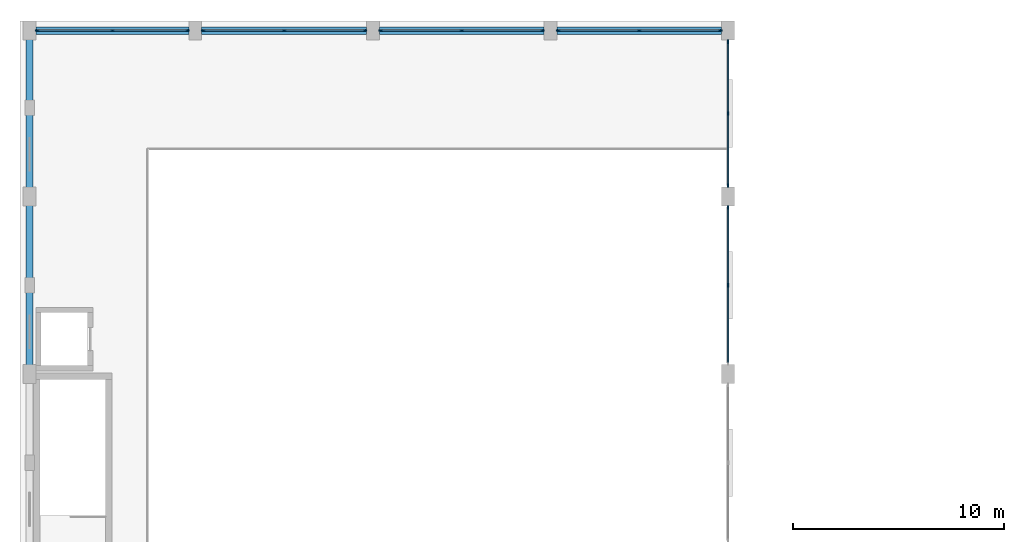
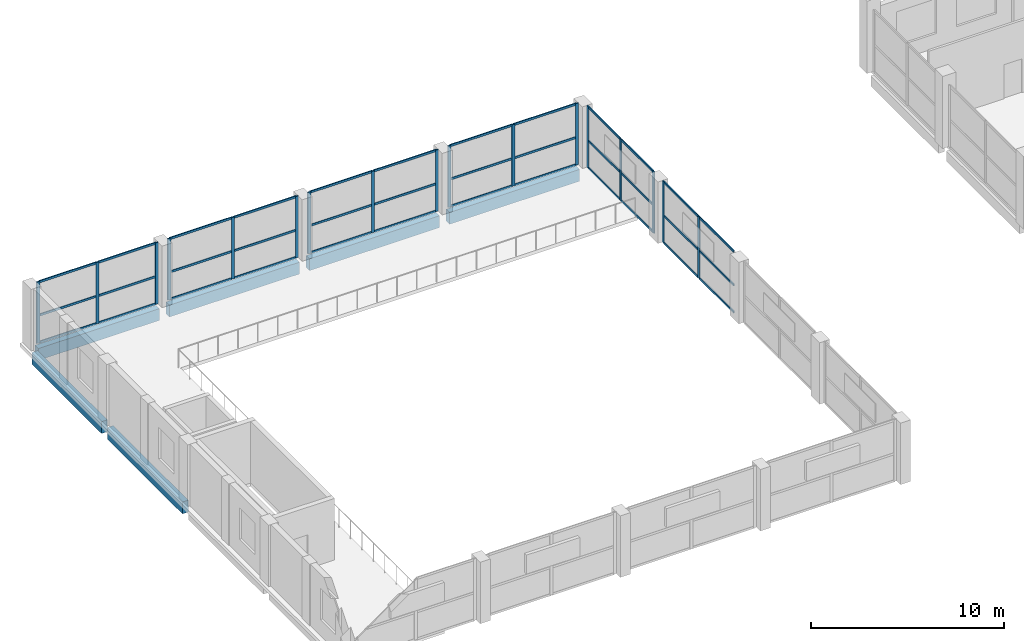
# One storey, part 6 of 31: 53 members, 6 beams, 6 elements without a shape of their own.
"""IFC4 building model written with IfcOpenShell, lengths in metres."""

from ifc_helpers import new_model, si_unit, direction, frame, origin, origin_2d, place, context, subcontext, project, spatial, rectangle, extrude, material, material_profile, profile_set, type_object, element, aggregate, save


model = new_model("IFC4")

# Units and contexts
model_context = context("Model", 3, precision=1e-05, world=origin(), true_north=direction((0.0, 1.0)))
body_context = subcontext(model_context, "Body", "Model", "MODEL_VIEW")
ifc_project = project(units=[si_unit("LENGTHUNIT", "METRE"), si_unit("AREAUNIT", "SQUARE_METRE"), si_unit("VOLUMEUNIT", "CUBIC_METRE"), si_unit("PLANEANGLEUNIT", "RADIAN"), si_unit("MASSUNIT", "GRAM", prefix="KILO")], contexts=[model_context])

# Site, building, storey
site_placement = place(None, origin())
site = spatial("IfcSite", under=ifc_project, at=site_placement, CompositionType="ELEMENT")
building_placement = place(site_placement, origin())
building = spatial("IfcBuilding", under=site, at=building_placement, Name="Brinegate Botanical Conservatory", CompositionType="ELEMENT")
storey_placement = place(building_placement, frame((0.0, 0.0, 5.39990234375)))
storey = spatial("IfcBuildingStorey", under=building, at=storey_placement, Name="L02", CompositionType="ELEMENT", Elevation=5.39990234375)

# Beams
ifc_material_1 = material(Name="Concrete C40/50", Category="concrete")
ifc_material_profile_1 = material_profile(ifc_material_1, rectangle(XDim=0.35009765625, YDim=0.75, at=origin_2d()), Name="RC SPN 350x750")
ifc_profile_set_1 = profile_set([ifc_material_profile_1], Name="Concrete C40/50")
beam_type = type_object("IfcBeamType", Name="Beam_SP-01", PredefinedType="SPANDREL", material=ifc_profile_set_1)
beam_1_placement = place(storey_placement, frame((0.85009765625, 111.449951171875, -0.594970703125), z_axis=(1.0, 0.0, 0.0), x_axis=(0.0, 1.0, 0.0)))
element("IfcBeam", 1, at=beam_1_placement, inside=storey, type_object=beam_type, Name="Beam SP-01 L02 P:1-2", PredefinedType="SPANDREL", context=body_context, shape_type="SweptSolid", body=[
    extrude(rectangle(XDim=0.35009765625, YDim=0.75, at=origin_2d()), origin(), (0.0, 0.0, 1.0), 7.25),
])
beam_2_placement = place(storey_placement, frame((8.699951171875, 111.449951171875, -0.594970703125), z_axis=(1.0, 0.0, 0.0), x_axis=(0.0, 1.0, 0.0)))
element("IfcBeam", 2, at=beam_2_placement, inside=storey, type_object=beam_type, Name="Beam SP-01 L02 P:2-3", PredefinedType="SPANDREL", context=body_context, shape_type="SweptSolid", body=[
    extrude(rectangle(XDim=0.35009765625, YDim=0.75, at=origin_2d()), origin(), (0.0, 0.0, 1.0), 7.800048828125),
])
beam_3_placement = place(storey_placement, frame((17.10009765625, 111.449951171875, -0.594970703125), z_axis=(1.0, 0.0, 0.0), x_axis=(0.0, 1.0, 0.0)))
element("IfcBeam", 3, at=beam_3_placement, inside=storey, type_object=beam_type, Name="Beam SP-01 L02 P:3-4", PredefinedType="SPANDREL", context=body_context, shape_type="SweptSolid", body=[
    extrude(rectangle(XDim=0.35009765625, YDim=0.75, at=origin_2d()), origin(), (0.0, 0.0, 1.0), 7.7998046875),
])
for number, where, z_axis, x_axis, name in (
    (4, (25.5, 111.449951171875, -0.594970703125), (1.0, 0.0, 0.0), (0.0, 1.0, 0.0), "Beam SP-01 L02 P:4-5"),
    (5, (0.550048828125, 95.5, -0.594970703125), (0.0, 1.0, 0.0), (-1.0, 0.0, 0.0), "Beam SP-01 L02 1:M-N"),
):
    element("IfcBeam", number, at=place(storey_placement, frame(where, z_axis=z_axis, x_axis=x_axis)), inside=storey, type_object=beam_type, Name=name, PredefinedType="SPANDREL", context=body_context, shape_type="SweptSolid", body=[
        extrude(rectangle(XDim=0.35009765625, YDim=0.75, at=origin_2d()), origin(), (0.0, 0.0, 1.0), 7.800048828125),
    ])
beam_4_placement = place(storey_placement, frame((0.550048828125, 103.89990234375, -0.594970703125), z_axis=(0.0, 1.0, 0.0), x_axis=(-1.0, 0.0, 0.0)))
element("IfcBeam", 6, at=beam_4_placement, inside=storey, type_object=beam_type, Name="Beam SP-01 L02 1:N-P", PredefinedType="SPANDREL", context=body_context, shape_type="SweptSolid", body=[
    extrude(rectangle(XDim=0.35009765625, YDim=0.75, at=origin_2d()), origin(), (0.0, 0.0, 1.0), 7.25),
])

# Curtain wall, members
ifc_material_2 = material(Name="Thermally broken anodised aluminium AW-6063-T6", Category="aluminium")
curtain_wall_type = type_object("IfcCurtainWallType", Name="CW_CW-V1", PredefinedType="USERDEFINED", material=ifc_material_2)
curtain_wall_1_placement = place(storey_placement, origin())
curtain_wall_1 = element("IfcCurtainWall", 7, at=curtain_wall_1_placement, inside=storey, type_object=curtain_wall_type, Name="Conservatory north curtain wall L02.1", ObjectType="FACTORY CURTAIN WALL", PredefinedType="USERDEFINED")
ifc_material_profile_2 = material_profile(ifc_material_2, rectangle(XDim=0.06494140625, YDim=0.179931640625, at=origin_2d()), Name="ALUM MULLION 65x180")
ifc_profile_set_2 = profile_set([ifc_material_profile_2], Name="Thermally broken anodised aluminium AW-6063-T6")
member_type_1 = type_object("IfcMemberType", Name="Member_ML-02", PredefinedType="MULLION", material=ifc_profile_set_2)
member_1_placement = place(storey_placement, frame((0.922607421875, 111.449951171875, 0.0), z_axis=(0.0, 0.0, 1.0), x_axis=(0.0, 1.0, 0.0)))
member_1 = element("IfcMember", 8, at=member_1_placement, type_object=member_type_1, Name="CW-V1 mullion 1", PredefinedType="MULLION", context=body_context, shape_type="SweptSolid", body=[
    extrude(rectangle(XDim=0.06494140625, YDim=0.179931640625, at=origin_2d()), origin(), (0.0, 0.0, 1.0), 3.900146484375),
])
member_2_placement = place(storey_placement, frame((4.47509765625, 111.449951171875, 0.0), z_axis=(0.0, 0.0, 1.0), x_axis=(0.0, 1.0, 0.0)))
member_2 = element("IfcMember", 9, at=member_2_placement, type_object=member_type_1, Name="CW-V1 mullion 2", PredefinedType="MULLION", context=body_context, shape_type="SweptSolid", body=[
    extrude(rectangle(XDim=0.06494140625, YDim=0.179931640625, at=origin_2d()), origin(), (0.0, 0.0, 1.0), 3.900146484375),
])
member_3_placement = place(storey_placement, frame((8.027587890625, 111.449951171875, 0.0), z_axis=(0.0, 0.0, 1.0), x_axis=(0.0, 1.0, 0.0)))
member_3 = element("IfcMember", 10, at=member_3_placement, type_object=member_type_1, Name="CW-V1 mullion 3", PredefinedType="MULLION", context=body_context, shape_type="SweptSolid", body=[
    extrude(rectangle(XDim=0.06494140625, YDim=0.179931640625, at=origin_2d()), origin(), (0.0, 0.0, 1.0), 3.900146484375),
])

curtain_wall_2_placement = place(storey_placement, origin())
curtain_wall_2 = element("IfcCurtainWall", 11, at=curtain_wall_2_placement, inside=storey, type_object=curtain_wall_type, Name="Conservatory north curtain wall L02.2", ObjectType="FACTORY CURTAIN WALL", PredefinedType="USERDEFINED")
member_4_placement = place(storey_placement, frame((8.7724609375, 111.449951171875, 0.0), z_axis=(0.0, 0.0, 1.0), x_axis=(0.0, 1.0, 0.0)))
member_4 = element("IfcMember", 12, at=member_4_placement, type_object=member_type_1, Name="CW-V1 mullion 1", PredefinedType="MULLION", context=body_context, shape_type="SweptSolid", body=[
    extrude(rectangle(XDim=0.06494140625, YDim=0.179931640625, at=origin_2d()), origin(), (0.0, 0.0, 1.0), 3.900146484375),
])
member_5_placement = place(storey_placement, frame((12.60009765625, 111.449951171875, 0.0), z_axis=(0.0, 0.0, 1.0), x_axis=(0.0, 1.0, 0.0)))
member_5 = element("IfcMember", 13, at=member_5_placement, type_object=member_type_1, Name="CW-V1 mullion 2", PredefinedType="MULLION", context=body_context, shape_type="SweptSolid", body=[
    extrude(rectangle(XDim=0.06494140625, YDim=0.179931640625, at=origin_2d()), origin(), (0.0, 0.0, 1.0), 3.900146484375),
])
member_6_placement = place(storey_placement, frame((16.427490234375, 111.449951171875, 0.0), z_axis=(0.0, 0.0, 1.0), x_axis=(0.0, 1.0, 0.0)))
member_6 = element("IfcMember", 14, at=member_6_placement, type_object=member_type_1, Name="CW-V1 mullion 3", PredefinedType="MULLION", context=body_context, shape_type="SweptSolid", body=[
    extrude(rectangle(XDim=0.06494140625, YDim=0.179931640625, at=origin_2d()), origin(), (0.0, 0.0, 1.0), 3.900146484375),
])

curtain_wall_3_placement = place(storey_placement, origin())
curtain_wall_3 = element("IfcCurtainWall", 15, at=curtain_wall_3_placement, inside=storey, type_object=curtain_wall_type, Name="Conservatory north curtain wall L02.3", ObjectType="FACTORY CURTAIN WALL", PredefinedType="USERDEFINED")
member_7_placement = place(storey_placement, frame((17.172607421875, 111.449951171875, 0.0), z_axis=(0.0, 0.0, 1.0), x_axis=(0.0, 1.0, 0.0)))
member_7 = element("IfcMember", 16, at=member_7_placement, type_object=member_type_1, Name="CW-V1 mullion 1", PredefinedType="MULLION", context=body_context, shape_type="SweptSolid", body=[
    extrude(rectangle(XDim=0.06494140625, YDim=0.179931640625, at=origin_2d()), origin(), (0.0, 0.0, 1.0), 3.900146484375),
])
member_8_placement = place(storey_placement, frame((21.0, 111.449951171875, 0.0), z_axis=(0.0, 0.0, 1.0), x_axis=(0.0, 1.0, 0.0)))
member_8 = element("IfcMember", 17, at=member_8_placement, type_object=member_type_1, Name="CW-V1 mullion 2", PredefinedType="MULLION", context=body_context, shape_type="SweptSolid", body=[
    extrude(rectangle(XDim=0.06494140625, YDim=0.179931640625, at=origin_2d()), origin(), (0.0, 0.0, 1.0), 3.900146484375),
])
member_9_placement = place(storey_placement, frame((24.827392578125, 111.449951171875, 0.0), z_axis=(0.0, 0.0, 1.0), x_axis=(0.0, 1.0, 0.0)))
member_9 = element("IfcMember", 18, at=member_9_placement, type_object=member_type_1, Name="CW-V1 mullion 3", PredefinedType="MULLION", context=body_context, shape_type="SweptSolid", body=[
    extrude(rectangle(XDim=0.06494140625, YDim=0.179931640625, at=origin_2d()), origin(), (0.0, 0.0, 1.0), 3.900146484375),
])

curtain_wall_4_placement = place(storey_placement, origin())
curtain_wall_4 = element("IfcCurtainWall", 19, at=curtain_wall_4_placement, inside=storey, type_object=curtain_wall_type, Name="Conservatory north curtain wall L02.4", ObjectType="FACTORY CURTAIN WALL", PredefinedType="USERDEFINED")
member_10_placement = place(storey_placement, frame((25.572509765625, 111.449951171875, 0.0), z_axis=(0.0, 0.0, 1.0), x_axis=(0.0, 1.0, 0.0)))
member_10 = element("IfcMember", 20, at=member_10_placement, type_object=member_type_1, Name="CW-V1 mullion 1", PredefinedType="MULLION", context=body_context, shape_type="SweptSolid", body=[
    extrude(rectangle(XDim=0.06494140625, YDim=0.179931640625, at=origin_2d()), origin(), (0.0, 0.0, 1.0), 3.900146484375),
])
member_11_placement = place(storey_placement, frame((29.39990234375, 111.449951171875, 0.0), z_axis=(0.0, 0.0, 1.0), x_axis=(0.0, 1.0, 0.0)))
member_11 = element("IfcMember", 21, at=member_11_placement, type_object=member_type_1, Name="CW-V1 mullion 2", PredefinedType="MULLION", context=body_context, shape_type="SweptSolid", body=[
    extrude(rectangle(XDim=0.06494140625, YDim=0.179931640625, at=origin_2d()), origin(), (0.0, 0.0, 1.0), 3.900146484375),
])
member_12_placement = place(storey_placement, frame((33.2275390625, 111.449951171875, 0.0), z_axis=(0.0, 0.0, 1.0), x_axis=(0.0, 1.0, 0.0)))
member_12 = element("IfcMember", 22, at=member_12_placement, type_object=member_type_1, Name="CW-V1 mullion 3", PredefinedType="MULLION", context=body_context, shape_type="SweptSolid", body=[
    extrude(rectangle(XDim=0.06494140625, YDim=0.179931640625, at=origin_2d()), origin(), (0.0, 0.0, 1.0), 3.900146484375),
])

curtain_wall_5_placement = place(storey_placement, origin())
curtain_wall_5 = element("IfcCurtainWall", 23, at=curtain_wall_5_placement, inside=storey, type_object=curtain_wall_type, Name="Conservatory east curtain wall L02.3", ObjectType="FACTORY CURTAIN WALL", PredefinedType="USERDEFINED")
member_13_placement = place(storey_placement, frame((33.60009765625, 103.077392578125, 0.0), z_axis=(0.0, 0.0, 1.0), x_axis=(1.0, 0.0, 0.0)))
member_13 = element("IfcMember", 24, at=member_13_placement, type_object=member_type_1, Name="CW-V1 mullion 1", PredefinedType="MULLION", context=body_context, shape_type="SweptSolid", body=[
    extrude(rectangle(XDim=0.06494140625, YDim=0.179931640625, at=origin_2d()), origin(), (0.0, 0.0, 1.0), 3.900146484375),
])
member_14_placement = place(storey_placement, frame((33.60009765625, 99.39990234375, 0.0), z_axis=(0.0, 0.0, 1.0), x_axis=(1.0, 0.0, 0.0)))
member_14 = element("IfcMember", 25, at=member_14_placement, type_object=member_type_1, Name="CW-V1 mullion 2", PredefinedType="MULLION", context=body_context, shape_type="SweptSolid", body=[
    extrude(rectangle(XDim=0.06494140625, YDim=0.179931640625, at=origin_2d()), origin(), (0.0, 0.0, 1.0), 3.900146484375),
])

curtain_wall_6_placement = place(storey_placement, origin())
curtain_wall_6 = element("IfcCurtainWall", 26, at=curtain_wall_6_placement, inside=storey, type_object=curtain_wall_type, Name="Conservatory east curtain wall L02.4", ObjectType="FACTORY CURTAIN WALL", PredefinedType="USERDEFINED")
member_15_placement = place(storey_placement, frame((33.60009765625, 110.927490234375, 0.0), z_axis=(0.0, 0.0, 1.0), x_axis=(1.0, 0.0, 0.0)))
member_15 = element("IfcMember", 27, at=member_15_placement, type_object=member_type_1, Name="CW-V1 mullion 1", PredefinedType="MULLION", context=body_context, shape_type="SweptSolid", body=[
    extrude(rectangle(XDim=0.06494140625, YDim=0.179931640625, at=origin_2d()), origin(), (0.0, 0.0, 1.0), 3.900146484375),
])
member_16_placement = place(storey_placement, frame((33.60009765625, 107.52490234375, 0.0), z_axis=(0.0, 0.0, 1.0), x_axis=(1.0, 0.0, 0.0)))
member_16 = element("IfcMember", 28, at=member_16_placement, type_object=member_type_1, Name="CW-V1 mullion 2", PredefinedType="MULLION", context=body_context, shape_type="SweptSolid", body=[
    extrude(rectangle(XDim=0.06494140625, YDim=0.179931640625, at=origin_2d()), origin(), (0.0, 0.0, 1.0), 3.900146484375),
])
member_17_placement = place(storey_placement, frame((33.60009765625, 104.12255859375, 0.0), z_axis=(0.0, 0.0, 1.0), x_axis=(1.0, 0.0, 0.0)))
member_17 = element("IfcMember", 29, at=member_17_placement, type_object=member_type_1, Name="CW-V1 mullion 3", PredefinedType="MULLION", context=body_context, shape_type="SweptSolid", body=[
    extrude(rectangle(XDim=0.06494140625, YDim=0.179931640625, at=origin_2d()), origin(), (0.0, 0.0, 1.0), 3.900146484375),
])

# Member
ifc_material_profile_3 = material_profile(ifc_material_2, rectangle(XDim=0.06494140625, YDim=0.135009765625, at=origin_2d()), Name="ALUM TRANSOM 65x135")
ifc_profile_set_3 = profile_set([ifc_material_profile_3], Name="Thermally broken anodised aluminium AW-6063-T6")
member_type_2 = type_object("IfcMemberType", Name="Member_TR-02", PredefinedType="USERDEFINED", material=ifc_profile_set_3)
member_18_placement = place(storey_placement, frame((0.955078125, 111.449951171875, 0.03271484375), z_axis=(1.0, 0.0, 0.0), x_axis=(0.0, 1.0, 0.0)))
member_18 = element("IfcMember", 30, at=member_18_placement, type_object=member_type_2, Name="CW-V1 transom 1.1", ObjectType="TRANSOM", PredefinedType="USERDEFINED", context=body_context, shape_type="SweptSolid", body=[
    extrude(rectangle(XDim=0.06494140625, YDim=0.135009765625, at=origin_2d()), origin(), (0.0, 0.0, 1.0), 3.4873046875),
])

member_19_placement = place(storey_placement, frame((0.955078125, 111.449951171875, 1.755126953125), z_axis=(1.0, 0.0, 0.0), x_axis=(0.0, 1.0, 0.0)))
member_19 = element("IfcMember", 31, at=member_19_placement, type_object=member_type_2, Name="CW-V1 transom 1.2", ObjectType="TRANSOM", PredefinedType="USERDEFINED", context=body_context, shape_type="SweptSolid", body=[
    extrude(rectangle(XDim=0.06494140625, YDim=0.135009765625, at=origin_2d()), origin(), (0.0, 0.0, 1.0), 3.4873046875),
])

member_20_placement = place(storey_placement, frame((0.955078125, 111.449951171875, 3.86767578125), z_axis=(1.0, 0.0, 0.0), x_axis=(0.0, 1.0, 0.0)))
member_20 = element("IfcMember", 32, at=member_20_placement, type_object=member_type_2, Name="CW-V1 transom 1.3", ObjectType="TRANSOM", PredefinedType="USERDEFINED", context=body_context, shape_type="SweptSolid", body=[
    extrude(rectangle(XDim=0.06494140625, YDim=0.135009765625, at=origin_2d()), origin(), (0.0, 0.0, 1.0), 3.4873046875),
])

member_21_placement = place(storey_placement, frame((4.507568359375, 111.449951171875, 0.03271484375), z_axis=(1.0, 0.0, 0.0), x_axis=(0.0, 1.0, 0.0)))
member_21 = element("IfcMember", 33, at=member_21_placement, type_object=member_type_2, Name="CW-V1 transom 2.1", ObjectType="TRANSOM", PredefinedType="USERDEFINED", context=body_context, shape_type="SweptSolid", body=[
    extrude(rectangle(XDim=0.06494140625, YDim=0.135009765625, at=origin_2d()), origin(), (0.0, 0.0, 1.0), 3.487548828125),
])

member_22_placement = place(storey_placement, frame((4.507568359375, 111.449951171875, 1.755126953125), z_axis=(1.0, 0.0, 0.0), x_axis=(0.0, 1.0, 0.0)))
member_22 = element("IfcMember", 34, at=member_22_placement, type_object=member_type_2, Name="CW-V1 transom 2.2", ObjectType="TRANSOM", PredefinedType="USERDEFINED", context=body_context, shape_type="SweptSolid", body=[
    extrude(rectangle(XDim=0.06494140625, YDim=0.135009765625, at=origin_2d()), origin(), (0.0, 0.0, 1.0), 3.487548828125),
])

member_23_placement = place(storey_placement, frame((4.507568359375, 111.449951171875, 3.86767578125), z_axis=(1.0, 0.0, 0.0), x_axis=(0.0, 1.0, 0.0)))
member_23 = element("IfcMember", 35, at=member_23_placement, type_object=member_type_2, Name="CW-V1 transom 2.3", ObjectType="TRANSOM", PredefinedType="USERDEFINED", context=body_context, shape_type="SweptSolid", body=[
    extrude(rectangle(XDim=0.06494140625, YDim=0.135009765625, at=origin_2d()), origin(), (0.0, 0.0, 1.0), 3.487548828125),
])

aggregate(curtain_wall_1, [member_1, member_2, member_3, member_18, member_19, member_20, member_21, member_22, member_23])

member_24_placement = place(storey_placement, frame((8.804931640625, 111.449951171875, 0.03271484375), z_axis=(1.0, 0.0, 0.0), x_axis=(0.0, 1.0, 0.0)))
member_24 = element("IfcMember", 36, at=member_24_placement, type_object=member_type_2, Name="CW-V1 transom 1.1", ObjectType="TRANSOM", PredefinedType="USERDEFINED", context=body_context, shape_type="SweptSolid", body=[
    extrude(rectangle(XDim=0.06494140625, YDim=0.135009765625, at=origin_2d()), origin(), (0.0, 0.0, 1.0), 3.762451171875),
])

member_25_placement = place(storey_placement, frame((8.804931640625, 111.449951171875, 1.755126953125), z_axis=(1.0, 0.0, 0.0), x_axis=(0.0, 1.0, 0.0)))
member_25 = element("IfcMember", 37, at=member_25_placement, type_object=member_type_2, Name="CW-V1 transom 1.2", ObjectType="TRANSOM", PredefinedType="USERDEFINED", context=body_context, shape_type="SweptSolid", body=[
    extrude(rectangle(XDim=0.06494140625, YDim=0.135009765625, at=origin_2d()), origin(), (0.0, 0.0, 1.0), 3.762451171875),
])

member_26_placement = place(storey_placement, frame((8.804931640625, 111.449951171875, 3.86767578125), z_axis=(1.0, 0.0, 0.0), x_axis=(0.0, 1.0, 0.0)))
member_26 = element("IfcMember", 38, at=member_26_placement, type_object=member_type_2, Name="CW-V1 transom 1.3", ObjectType="TRANSOM", PredefinedType="USERDEFINED", context=body_context, shape_type="SweptSolid", body=[
    extrude(rectangle(XDim=0.06494140625, YDim=0.135009765625, at=origin_2d()), origin(), (0.0, 0.0, 1.0), 3.762451171875),
])

member_27_placement = place(storey_placement, frame((12.632568359375, 111.449951171875, 0.03271484375), z_axis=(1.0, 0.0, 0.0), x_axis=(0.0, 1.0, 0.0)))
member_27 = element("IfcMember", 39, at=member_27_placement, type_object=member_type_2, Name="CW-V1 transom 2.1", ObjectType="TRANSOM", PredefinedType="USERDEFINED", context=body_context, shape_type="SweptSolid", body=[
    extrude(rectangle(XDim=0.06494140625, YDim=0.135009765625, at=origin_2d()), origin(), (0.0, 0.0, 1.0), 3.762451171875),
])

member_28_placement = place(storey_placement, frame((12.632568359375, 111.449951171875, 1.755126953125), z_axis=(1.0, 0.0, 0.0), x_axis=(0.0, 1.0, 0.0)))
member_28 = element("IfcMember", 40, at=member_28_placement, type_object=member_type_2, Name="CW-V1 transom 2.2", ObjectType="TRANSOM", PredefinedType="USERDEFINED", context=body_context, shape_type="SweptSolid", body=[
    extrude(rectangle(XDim=0.06494140625, YDim=0.135009765625, at=origin_2d()), origin(), (0.0, 0.0, 1.0), 3.762451171875),
])

member_29_placement = place(storey_placement, frame((12.632568359375, 111.449951171875, 3.86767578125), z_axis=(1.0, 0.0, 0.0), x_axis=(0.0, 1.0, 0.0)))
member_29 = element("IfcMember", 41, at=member_29_placement, type_object=member_type_2, Name="CW-V1 transom 2.3", ObjectType="TRANSOM", PredefinedType="USERDEFINED", context=body_context, shape_type="SweptSolid", body=[
    extrude(rectangle(XDim=0.06494140625, YDim=0.135009765625, at=origin_2d()), origin(), (0.0, 0.0, 1.0), 3.762451171875),
])

aggregate(curtain_wall_2, [member_4, member_5, member_6, member_24, member_25, member_26, member_27, member_28, member_29])

member_30_placement = place(storey_placement, frame((17.205078125, 111.449951171875, 0.03271484375), z_axis=(1.0, 0.0, 0.0), x_axis=(0.0, 1.0, 0.0)))
member_30 = element("IfcMember", 42, at=member_30_placement, type_object=member_type_2, Name="CW-V1 transom 1.1", ObjectType="TRANSOM", PredefinedType="USERDEFINED", context=body_context, shape_type="SweptSolid", body=[
    extrude(rectangle(XDim=0.06494140625, YDim=0.135009765625, at=origin_2d()), origin(), (0.0, 0.0, 1.0), 3.762451171875),
])

member_31_placement = place(storey_placement, frame((17.205078125, 111.449951171875, 1.755126953125), z_axis=(1.0, 0.0, 0.0), x_axis=(0.0, 1.0, 0.0)))
member_31 = element("IfcMember", 43, at=member_31_placement, type_object=member_type_2, Name="CW-V1 transom 1.2", ObjectType="TRANSOM", PredefinedType="USERDEFINED", context=body_context, shape_type="SweptSolid", body=[
    extrude(rectangle(XDim=0.06494140625, YDim=0.135009765625, at=origin_2d()), origin(), (0.0, 0.0, 1.0), 3.762451171875),
])

member_32_placement = place(storey_placement, frame((17.205078125, 111.449951171875, 3.86767578125), z_axis=(1.0, 0.0, 0.0), x_axis=(0.0, 1.0, 0.0)))
member_32 = element("IfcMember", 44, at=member_32_placement, type_object=member_type_2, Name="CW-V1 transom 1.3", ObjectType="TRANSOM", PredefinedType="USERDEFINED", context=body_context, shape_type="SweptSolid", body=[
    extrude(rectangle(XDim=0.06494140625, YDim=0.135009765625, at=origin_2d()), origin(), (0.0, 0.0, 1.0), 3.762451171875),
])

member_33_placement = place(storey_placement, frame((21.032470703125, 111.449951171875, 0.03271484375), z_axis=(1.0, 0.0, 0.0), x_axis=(0.0, 1.0, 0.0)))
member_33 = element("IfcMember", 45, at=member_33_placement, type_object=member_type_2, Name="CW-V1 transom 2.1", ObjectType="TRANSOM", PredefinedType="USERDEFINED", context=body_context, shape_type="SweptSolid", body=[
    extrude(rectangle(XDim=0.06494140625, YDim=0.135009765625, at=origin_2d()), origin(), (0.0, 0.0, 1.0), 3.762451171875),
])

member_34_placement = place(storey_placement, frame((21.032470703125, 111.449951171875, 1.755126953125), z_axis=(1.0, 0.0, 0.0), x_axis=(0.0, 1.0, 0.0)))
member_34 = element("IfcMember", 46, at=member_34_placement, type_object=member_type_2, Name="CW-V1 transom 2.2", ObjectType="TRANSOM", PredefinedType="USERDEFINED", context=body_context, shape_type="SweptSolid", body=[
    extrude(rectangle(XDim=0.06494140625, YDim=0.135009765625, at=origin_2d()), origin(), (0.0, 0.0, 1.0), 3.762451171875),
])

member_35_placement = place(storey_placement, frame((21.032470703125, 111.449951171875, 3.86767578125), z_axis=(1.0, 0.0, 0.0), x_axis=(0.0, 1.0, 0.0)))
member_35 = element("IfcMember", 47, at=member_35_placement, type_object=member_type_2, Name="CW-V1 transom 2.3", ObjectType="TRANSOM", PredefinedType="USERDEFINED", context=body_context, shape_type="SweptSolid", body=[
    extrude(rectangle(XDim=0.06494140625, YDim=0.135009765625, at=origin_2d()), origin(), (0.0, 0.0, 1.0), 3.762451171875),
])

aggregate(curtain_wall_3, [member_7, member_8, member_9, member_30, member_31, member_32, member_33, member_34, member_35])

member_36_placement = place(storey_placement, frame((25.60498046875, 111.449951171875, 0.03271484375), z_axis=(1.0, 0.0, 0.0), x_axis=(0.0, 1.0, 0.0)))
member_36 = element("IfcMember", 48, at=member_36_placement, type_object=member_type_2, Name="CW-V1 transom 1.1", ObjectType="TRANSOM", PredefinedType="USERDEFINED", context=body_context, shape_type="SweptSolid", body=[
    extrude(rectangle(XDim=0.06494140625, YDim=0.135009765625, at=origin_2d()), origin(), (0.0, 0.0, 1.0), 3.762451171875),
])

member_37_placement = place(storey_placement, frame((25.60498046875, 111.449951171875, 1.755126953125), z_axis=(1.0, 0.0, 0.0), x_axis=(0.0, 1.0, 0.0)))
member_37 = element("IfcMember", 49, at=member_37_placement, type_object=member_type_2, Name="CW-V1 transom 1.2", ObjectType="TRANSOM", PredefinedType="USERDEFINED", context=body_context, shape_type="SweptSolid", body=[
    extrude(rectangle(XDim=0.06494140625, YDim=0.135009765625, at=origin_2d()), origin(), (0.0, 0.0, 1.0), 3.762451171875),
])

member_38_placement = place(storey_placement, frame((25.60498046875, 111.449951171875, 3.86767578125), z_axis=(1.0, 0.0, 0.0), x_axis=(0.0, 1.0, 0.0)))
member_38 = element("IfcMember", 50, at=member_38_placement, type_object=member_type_2, Name="CW-V1 transom 1.3", ObjectType="TRANSOM", PredefinedType="USERDEFINED", context=body_context, shape_type="SweptSolid", body=[
    extrude(rectangle(XDim=0.06494140625, YDim=0.135009765625, at=origin_2d()), origin(), (0.0, 0.0, 1.0), 3.762451171875),
])

member_39_placement = place(storey_placement, frame((29.4326171875, 111.449951171875, 0.03271484375), z_axis=(1.0, 0.0, 0.0), x_axis=(0.0, 1.0, 0.0)))
member_39 = element("IfcMember", 51, at=member_39_placement, type_object=member_type_2, Name="CW-V1 transom 2.1", ObjectType="TRANSOM", PredefinedType="USERDEFINED", context=body_context, shape_type="SweptSolid", body=[
    extrude(rectangle(XDim=0.06494140625, YDim=0.135009765625, at=origin_2d()), origin(), (0.0, 0.0, 1.0), 3.762451171875),
])

member_40_placement = place(storey_placement, frame((29.4326171875, 111.449951171875, 1.755126953125), z_axis=(1.0, 0.0, 0.0), x_axis=(0.0, 1.0, 0.0)))
member_40 = element("IfcMember", 52, at=member_40_placement, type_object=member_type_2, Name="CW-V1 transom 2.2", ObjectType="TRANSOM", PredefinedType="USERDEFINED", context=body_context, shape_type="SweptSolid", body=[
    extrude(rectangle(XDim=0.06494140625, YDim=0.135009765625, at=origin_2d()), origin(), (0.0, 0.0, 1.0), 3.762451171875),
])

member_41_placement = place(storey_placement, frame((29.4326171875, 111.449951171875, 3.86767578125), z_axis=(1.0, 0.0, 0.0), x_axis=(0.0, 1.0, 0.0)))
member_41 = element("IfcMember", 53, at=member_41_placement, type_object=member_type_2, Name="CW-V1 transom 2.3", ObjectType="TRANSOM", PredefinedType="USERDEFINED", context=body_context, shape_type="SweptSolid", body=[
    extrude(rectangle(XDim=0.06494140625, YDim=0.135009765625, at=origin_2d()), origin(), (0.0, 0.0, 1.0), 3.762451171875),
])

aggregate(curtain_wall_4, [member_10, member_11, member_12, member_36, member_37, member_38, member_39, member_40, member_41])

member_42_placement = place(storey_placement, frame((33.60009765625, 103.044921875, 0.03271484375), z_axis=(0.0, -1.0, 0.0), x_axis=(1.0, 0.0, 0.0)))
member_42 = element("IfcMember", 54, at=member_42_placement, type_object=member_type_2, Name="CW-V1 transom 1.1", ObjectType="TRANSOM", PredefinedType="USERDEFINED", context=body_context, shape_type="SweptSolid", body=[
    extrude(rectangle(XDim=0.06494140625, YDim=0.135009765625, at=origin_2d()), origin(), (0.0, 0.0, 1.0), 3.6123046875),
])

member_43_placement = place(storey_placement, frame((33.60009765625, 103.044921875, 1.755126953125), z_axis=(0.0, -1.0, 0.0), x_axis=(1.0, 0.0, 0.0)))
member_43 = element("IfcMember", 55, at=member_43_placement, type_object=member_type_2, Name="CW-V1 transom 1.2", ObjectType="TRANSOM", PredefinedType="USERDEFINED", context=body_context, shape_type="SweptSolid", body=[
    extrude(rectangle(XDim=0.06494140625, YDim=0.135009765625, at=origin_2d()), origin(), (0.0, 0.0, 1.0), 3.6123046875),
])

member_44_placement = place(storey_placement, frame((33.60009765625, 103.044921875, 3.86767578125), z_axis=(0.0, -1.0, 0.0), x_axis=(1.0, 0.0, 0.0)))
member_44 = element("IfcMember", 56, at=member_44_placement, type_object=member_type_2, Name="CW-V1 transom 1.3", ObjectType="TRANSOM", PredefinedType="USERDEFINED", context=body_context, shape_type="SweptSolid", body=[
    extrude(rectangle(XDim=0.06494140625, YDim=0.135009765625, at=origin_2d()), origin(), (0.0, 0.0, 1.0), 3.6123046875),
])

member_45_placement = place(storey_placement, frame((33.60009765625, 99.367431640625, 0.03271484375), z_axis=(0.0, -1.0, 0.0), x_axis=(1.0, 0.0, 0.0)))
member_45 = element("IfcMember", 57, at=member_45_placement, type_object=member_type_2, Name="CW-V1 transom 2.1", ObjectType="TRANSOM", PredefinedType="USERDEFINED", context=body_context, shape_type="SweptSolid", body=[
    extrude(rectangle(XDim=0.06494140625, YDim=0.135009765625, at=origin_2d()), origin(), (0.0, 0.0, 1.0), 3.612548828125),
])

member_46_placement = place(storey_placement, frame((33.60009765625, 99.367431640625, 1.755126953125), z_axis=(0.0, -1.0, 0.0), x_axis=(1.0, 0.0, 0.0)))
member_46 = element("IfcMember", 58, at=member_46_placement, type_object=member_type_2, Name="CW-V1 transom 2.2", ObjectType="TRANSOM", PredefinedType="USERDEFINED", context=body_context, shape_type="SweptSolid", body=[
    extrude(rectangle(XDim=0.06494140625, YDim=0.135009765625, at=origin_2d()), origin(), (0.0, 0.0, 1.0), 3.612548828125),
])

member_47_placement = place(storey_placement, frame((33.60009765625, 99.367431640625, 3.86767578125), z_axis=(0.0, -1.0, 0.0), x_axis=(1.0, 0.0, 0.0)))
member_47 = element("IfcMember", 59, at=member_47_placement, type_object=member_type_2, Name="CW-V1 transom 2.3", ObjectType="TRANSOM", PredefinedType="USERDEFINED", context=body_context, shape_type="SweptSolid", body=[
    extrude(rectangle(XDim=0.06494140625, YDim=0.135009765625, at=origin_2d()), origin(), (0.0, 0.0, 1.0), 3.612548828125),
])

aggregate(curtain_wall_5, [member_13, member_14, member_42, member_43, member_44, member_45, member_46, member_47])

member_48_placement = place(storey_placement, frame((33.60009765625, 110.89501953125, 0.03271484375), z_axis=(0.0, -1.0, 0.0), x_axis=(1.0, 0.0, 0.0)))
member_48 = element("IfcMember", 60, at=member_48_placement, type_object=member_type_2, Name="CW-V1 transom 1.1", ObjectType="TRANSOM", PredefinedType="USERDEFINED", context=body_context, shape_type="SweptSolid", body=[
    extrude(rectangle(XDim=0.06494140625, YDim=0.135009765625, at=origin_2d()), origin(), (0.0, 0.0, 1.0), 3.33740234375),
])

member_49_placement = place(storey_placement, frame((33.60009765625, 110.89501953125, 1.755126953125), z_axis=(0.0, -1.0, 0.0), x_axis=(1.0, 0.0, 0.0)))
member_49 = element("IfcMember", 61, at=member_49_placement, type_object=member_type_2, Name="CW-V1 transom 1.2", ObjectType="TRANSOM", PredefinedType="USERDEFINED", context=body_context, shape_type="SweptSolid", body=[
    extrude(rectangle(XDim=0.06494140625, YDim=0.135009765625, at=origin_2d()), origin(), (0.0, 0.0, 1.0), 3.33740234375),
])

member_50_placement = place(storey_placement, frame((33.60009765625, 110.89501953125, 3.86767578125), z_axis=(0.0, -1.0, 0.0), x_axis=(1.0, 0.0, 0.0)))
member_50 = element("IfcMember", 62, at=member_50_placement, type_object=member_type_2, Name="CW-V1 transom 1.3", ObjectType="TRANSOM", PredefinedType="USERDEFINED", context=body_context, shape_type="SweptSolid", body=[
    extrude(rectangle(XDim=0.06494140625, YDim=0.135009765625, at=origin_2d()), origin(), (0.0, 0.0, 1.0), 3.33740234375),
])

member_51_placement = place(storey_placement, frame((33.60009765625, 107.492431640625, 0.03271484375), z_axis=(0.0, -1.0, 0.0), x_axis=(1.0, 0.0, 0.0)))
member_51 = element("IfcMember", 63, at=member_51_placement, type_object=member_type_2, Name="CW-V1 transom 2.1", ObjectType="TRANSOM", PredefinedType="USERDEFINED", context=body_context, shape_type="SweptSolid", body=[
    extrude(rectangle(XDim=0.06494140625, YDim=0.135009765625, at=origin_2d()), origin(), (0.0, 0.0, 1.0), 3.33740234375),
])

member_52_placement = place(storey_placement, frame((33.60009765625, 107.492431640625, 1.755126953125), z_axis=(0.0, -1.0, 0.0), x_axis=(1.0, 0.0, 0.0)))
member_52 = element("IfcMember", 64, at=member_52_placement, type_object=member_type_2, Name="CW-V1 transom 2.2", ObjectType="TRANSOM", PredefinedType="USERDEFINED", context=body_context, shape_type="SweptSolid", body=[
    extrude(rectangle(XDim=0.06494140625, YDim=0.135009765625, at=origin_2d()), origin(), (0.0, 0.0, 1.0), 3.33740234375),
])

member_53_placement = place(storey_placement, frame((33.60009765625, 107.492431640625, 3.86767578125), z_axis=(0.0, -1.0, 0.0), x_axis=(1.0, 0.0, 0.0)))
member_53 = element("IfcMember", 65, at=member_53_placement, type_object=member_type_2, Name="CW-V1 transom 2.3", ObjectType="TRANSOM", PredefinedType="USERDEFINED", context=body_context, shape_type="SweptSolid", body=[
    extrude(rectangle(XDim=0.06494140625, YDim=0.135009765625, at=origin_2d()), origin(), (0.0, 0.0, 1.0), 3.33740234375),
])

aggregate(curtain_wall_6, [member_15, member_16, member_17, member_48, member_49, member_50, member_51, member_52, member_53])

save(model, "model.ifc")
